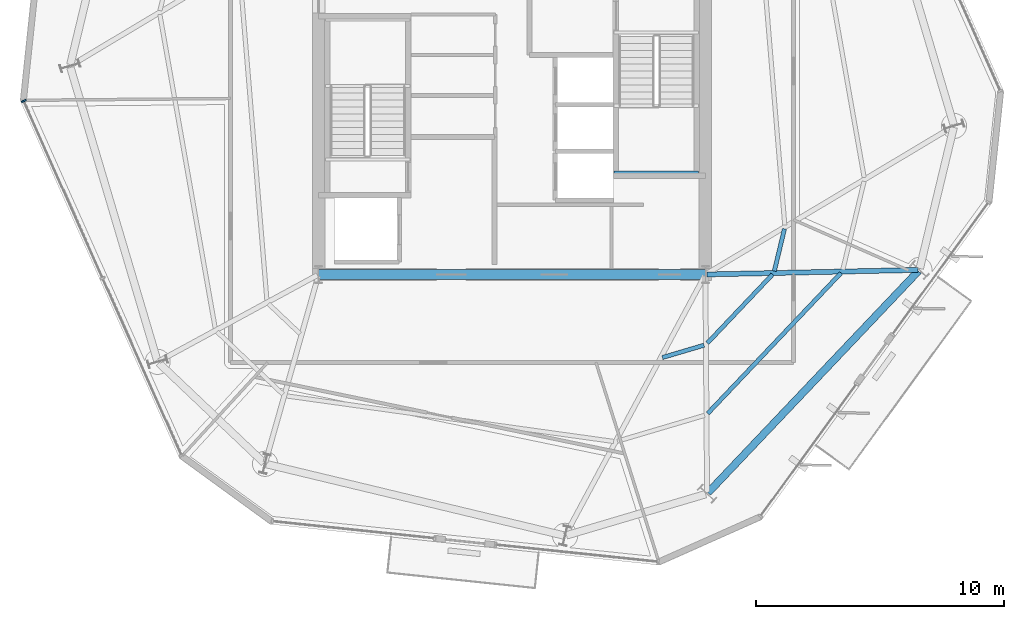
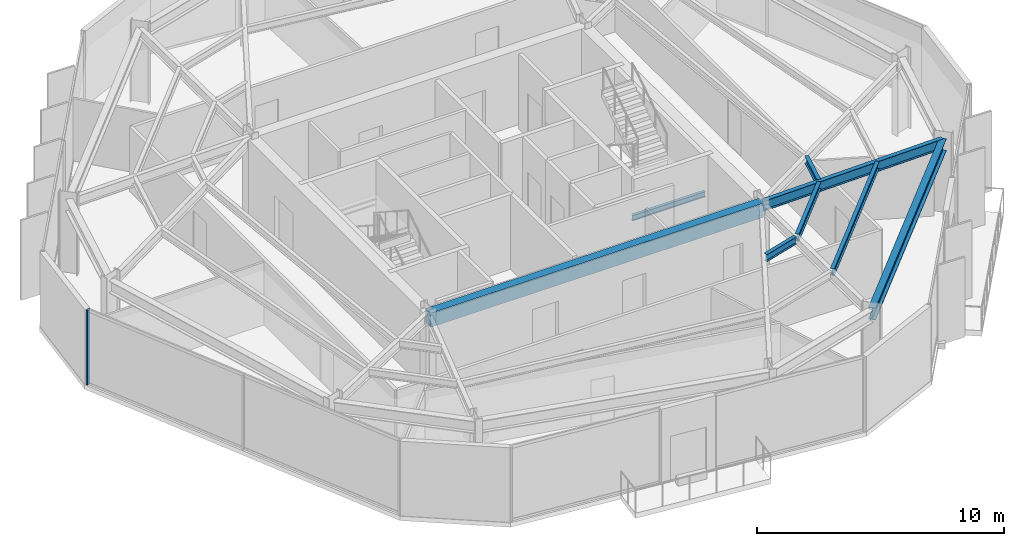
# One storey, part 3 of 12: 8 beams, 1 member, 1 element without a shape of its own.
"""IFC4 building model written with IfcOpenShell, lengths in metres."""

from ifc_helpers import new_model, si_unit, direction, frame, origin, origin_2d, place, context, subcontext, project, spatial, rectangle, i_section, extrude, material, layer, layer_set, material_profile, profile_set, type_object, element, aggregate, save


model = new_model("IFC4")

# Units and contexts
model_context = context("Model", 3, precision=1e-05, world=origin(), true_north=direction((0.0, 1.0)))
body_context = subcontext(model_context, "Body", "Model", "MODEL_VIEW")
ifc_project = project(units=[si_unit("LENGTHUNIT", "METRE"), si_unit("AREAUNIT", "SQUARE_METRE"), si_unit("VOLUMEUNIT", "CUBIC_METRE"), si_unit("PLANEANGLEUNIT", "RADIAN"), si_unit("MASSUNIT", "GRAM", prefix="KILO")], contexts=[model_context])

# Site, building, storey
site_placement = place(None, origin())
site = spatial("IfcSite", under=ifc_project, at=site_placement, CompositionType="ELEMENT")
building_placement = place(site_placement, origin())
building = spatial("IfcBuilding", under=site, at=building_placement, Name="Kranzbogen Civic Tower", CompositionType="ELEMENT")
storey_placement = place(building_placement, frame((0.0, 0.0, 240.800048828125)))
storey = spatial("IfcBuildingStorey", under=building, at=storey_placement, Name="L58", CompositionType="ELEMENT", Elevation=240.800048828125)

# Beam
ifc_material_1 = material(Name="Concrete C40/50", Category="concrete")
ifc_material_profile_1 = material_profile(ifc_material_1, rectangle(XDim=0.39990234375, YDim=0.699951171875, at=origin_2d()), Name="RC-BM 400x700")
ifc_profile_set_1 = profile_set([ifc_material_profile_1], Name="Concrete C40/50")
beam_type_1 = type_object("IfcBeamType", Name="Core Coupling Lintel Beam 400x700", PredefinedType="LINTEL", material=ifc_profile_set_1)
beam_1_placement = place(storey_placement, frame((17.199951171875, 17.800048828125, 3.349853515625), z_axis=(1.0, 0.0, 0.0), x_axis=(0.0, 1.0, 0.0)))
element("IfcBeam", 1, at=beam_1_placement, inside=storey, type_object=beam_type_1, Name="L58 core South coupling lintel beam", PredefinedType="LINTEL", context=body_context, shape_type="SweptSolid", body=[
    extrude(rectangle(XDim=0.39990234375, YDim=0.699951171875, at=origin_2d()), origin(), (0.0, 0.0, 1.0), 15.60009765625),
])

# Curtain wall, member
ifc_material_2 = material(Name="Pale Anodised Aluminium", Category="aluminium")
ifc_layer = layer(ifc_material_2, 0.219970703125, Name="Pale Anodised Aluminium")
ifc_layer_set = layer_set([ifc_layer], Name="Pale Anodised Aluminium")
curtain_wall_type = type_object("IfcCurtainWallType", Name="Zone 3 Stick Curtain Wall System CW-04", PredefinedType="USERDEFINED", material=ifc_layer_set)
curtain_wall_placement = place(storey_placement, origin())
curtain_wall = element("IfcCurtainWall", 2, at=curtain_wall_placement, inside=storey, type_object=curtain_wall_type, Name="L58 curtain wall CW-L58-F3", ObjectType="STICK CURTAIN WALL", PredefinedType="USERDEFINED")
ifc_material_profile_2 = material_profile(ifc_material_2, rectangle(XDim=0.070068359375, YDim=0.199951171875, at=origin_2d()), Name="ALU-M 70x200")
ifc_profile_set_2 = profile_set([ifc_material_profile_2], Name="Pale Anodised Aluminium")
member_type = type_object("IfcMemberType", Name="Curtain Wall Mullion ALU-M 70x200", PredefinedType="MULLION", material=ifc_profile_set_2)
member_placement = place(storey_placement, frame((5.30810546875, 24.796630859375, 0.0), z_axis=(0.0, 0.0, 1.0), x_axis=(0.406811748243, -0.913512014968, 0.0)))
member = element("IfcMember", 3, at=member_placement, type_object=member_type, Name="CW-04 mullion 1", PredefinedType="MULLION", context=body_context, shape_type="SweptSolid", body=[
    extrude(rectangle(XDim=0.070068359375, YDim=0.199951171875, at=origin_2d()), origin(), (0.0, 0.0, 1.0), 3.699951171875),
])
aggregate(curtain_wall, [member])

# Beams
ifc_material_3 = material(Name="Steel S355", Category="steel")
ifc_material_profile_3 = material_profile(ifc_material_3, i_section(OverallWidth=0.300048828125, OverallDepth=0.60009765625, WebThickness=0.015380859375, FlangeThickness=0.030029296875, at=origin_2d()), Name="HEB 600")
ifc_profile_set_3 = profile_set([ifc_material_profile_3], Name="Steel S355")
beam_type_2 = type_object("IfcBeamType", Name="Perimeter Tube Spandrel Beam HEB 600", PredefinedType="SPANDREL", material=ifc_profile_set_3)
beam_2_placement = place(storey_placement, frame((32.907958984375, 9.0, 3.39990234375), z_axis=(0.688373497874, 0.725356414065, 0.0), x_axis=(-0.725356414065, 0.688373497874, 0.0)))
element("IfcBeam", 4, at=beam_2_placement, inside=storey, type_object=beam_type_2, Name="L58 perimeter spandrel beam 04", PredefinedType="SPANDREL", context=body_context, shape_type="SweptSolid", body=[
    extrude(i_section(OverallWidth=0.300048828125, OverallDepth=0.60009765625, WebThickness=0.015380859375, FlangeThickness=0.030029296875, at=origin_2d()), origin(), (0.0, 0.0, 1.0), 12.324951171875),
])
ifc_material_profile_4 = material_profile(ifc_material_3, i_section(OverallWidth=0.199951171875, OverallDepth=0.5, WebThickness=0.01025390625, FlangeThickness=0.01611328125, at=origin_2d()), Name="IPE 500")
ifc_profile_set_4 = profile_set([ifc_material_profile_4], Name="Steel S355")
beam_type_3 = type_object("IfcBeamType", Name="Radial Tower Floor Girder IPE 500", PredefinedType="BEAM", material=ifc_profile_set_4)
beam_3_placement = place(storey_placement, frame((41.373046875, 17.98291015625, 3.449951171875), z_axis=(-0.99977183191, -0.021360808018, 0.0), x_axis=(0.021360808018, -0.99977183191, 0.0)))
element("IfcBeam", 5, at=beam_3_placement, inside=storey, type_object=beam_type_3, Name="L58 radial floor girder 05", PredefinedType="BEAM", context=body_context, shape_type="SweptSolid", body=[
    extrude(i_section(OverallWidth=0.199951171875, OverallDepth=0.5, WebThickness=0.01025390625, FlangeThickness=0.01611328125, at=origin_2d()), origin(), (0.0, 0.0, 1.0), 8.514892578125),
])
ifc_material_profile_5 = material_profile(ifc_material_3, i_section(OverallWidth=0.169921875, OverallDepth=0.360107421875, WebThickness=0.008056640625, FlangeThickness=0.0126953125, at=origin_2d()), Name="IPE 360")
ifc_profile_set_5 = profile_set([ifc_material_profile_5], Name="Steel S355")
beam_type_4 = type_object("IfcBeamType", Name="Secondary Composite Floor Joist IPE 360", PredefinedType="JOIST", material=ifc_profile_set_5)
beam_4_placement = place(storey_placement, frame((31.06591796875, 14.449951171875, 3.52001953125), z_axis=(0.958871214757, 0.283841493638, 0.0), x_axis=(-0.283841493638, 0.958871214757, 0.0)))
element("IfcBeam", 6, at=beam_4_placement, inside=storey, type_object=beam_type_4, Name="L58 secondary floor joist 2.03", PredefinedType="JOIST", context=body_context, shape_type="SweptSolid", body=[
    extrude(i_section(OverallWidth=0.169921875, OverallDepth=0.360107421875, WebThickness=0.008056640625, FlangeThickness=0.0126953125, at=origin_2d()), origin(), (0.0, 0.0, 1.0), 1.751220703125),
])
beam_5_placement = place(storey_placement, frame((32.89794921875, 12.197998046875, 3.52001953125), z_axis=(0.688282381634, 0.725442873789, 0.0), x_axis=(-0.725442873789, 0.688282381634, 0.0)))
element("IfcBeam", 7, at=beam_5_placement, inside=storey, type_object=beam_type_4, Name="L58 secondary floor joist 1.04", PredefinedType="JOIST", context=body_context, shape_type="SweptSolid", body=[
    extrude(i_section(OverallWidth=0.169921875, OverallDepth=0.360107421875, WebThickness=0.008056640625, FlangeThickness=0.0126953125, at=origin_2d()), origin(), (0.0, 0.0, 1.0), 7.804931640625),
])
beam_6_placement = place(storey_placement, frame((32.876953125, 15.028076171875, 3.52001953125), z_axis=(0.688175084876, 0.725544659243, 0.0), x_axis=(-0.725544659243, 0.688175084876, 0.0)))
element("IfcBeam", 8, at=beam_6_placement, inside=storey, type_object=beam_type_4, Name="L58 secondary floor joist 2.04", PredefinedType="JOIST", context=body_context, shape_type="SweptSolid", body=[
    extrude(i_section(OverallWidth=0.169921875, OverallDepth=0.360107421875, WebThickness=0.008056640625, FlangeThickness=0.0126953125, at=origin_2d()), origin(), (0.0, 0.0, 1.0), 3.82177734375),
])
beam_7_placement = place(storey_placement, frame((35.5810546875, 17.93701171875, 3.52001953125), z_axis=(0.233631438607, 0.972325228972, 0.0), x_axis=(-0.972325228972, 0.233631438607, 0.0)))
element("IfcBeam", 9, at=beam_7_placement, inside=storey, type_object=beam_type_4, Name="L58 secondary floor joist 2.05", PredefinedType="JOIST", context=body_context, shape_type="SweptSolid", body=[
    extrude(i_section(OverallWidth=0.169921875, OverallDepth=0.360107421875, WebThickness=0.008056640625, FlangeThickness=0.0126953125, at=origin_2d()), origin(), (0.0, 0.0, 1.0), 1.750244140625),
])
ifc_material_profile_6 = material_profile(ifc_material_3, i_section(OverallWidth=0.135009765625, OverallDepth=0.27001953125, WebThickness=0.006591796875, FlangeThickness=0.01025390625, at=origin_2d()), Name="IPE 270")
ifc_profile_set_6 = profile_set([ifc_material_profile_6], Name="Steel S355")
beam_type_5 = type_object("IfcBeamType", Name="Stair Landing Support Beam IPE 270", PredefinedType="JOIST", material=ifc_profile_set_6)
beam_8_placement = place(storey_placement, frame((29.1201171875, 21.89990234375, 1.6650390625), z_axis=(1.0, 0.0, 0.0), x_axis=(0.0, 1.0, 0.0)))
element("IfcBeam", 10, at=beam_8_placement, inside=storey, type_object=beam_type_5, Name="L58 ST-T2 landing support beam 1.2", PredefinedType="JOIST", context=body_context, shape_type="SweptSolid", body=[
    extrude(i_section(OverallWidth=0.135009765625, OverallDepth=0.27001953125, WebThickness=0.006591796875, FlangeThickness=0.01025390625, at=origin_2d()), origin(), (0.0, 0.0, 1.0), 3.409912109375),
])

save(model, "model.ifc")
